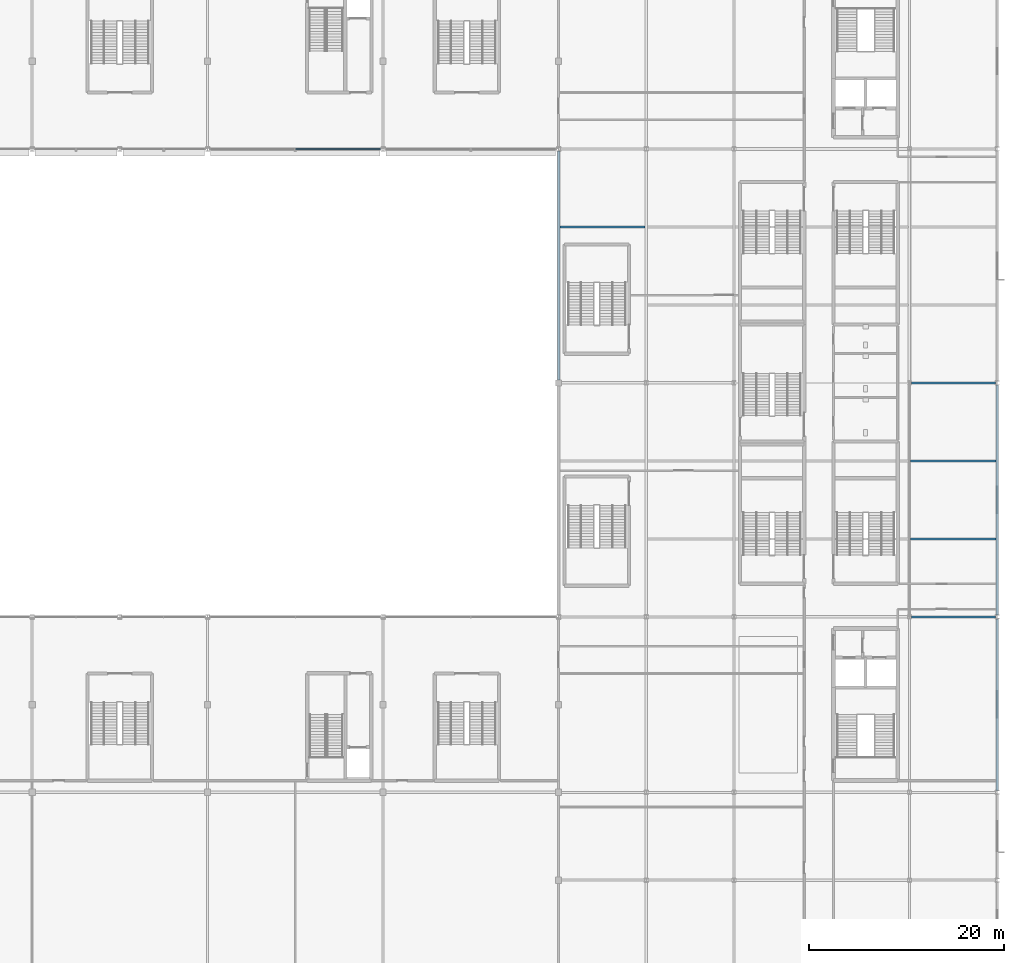
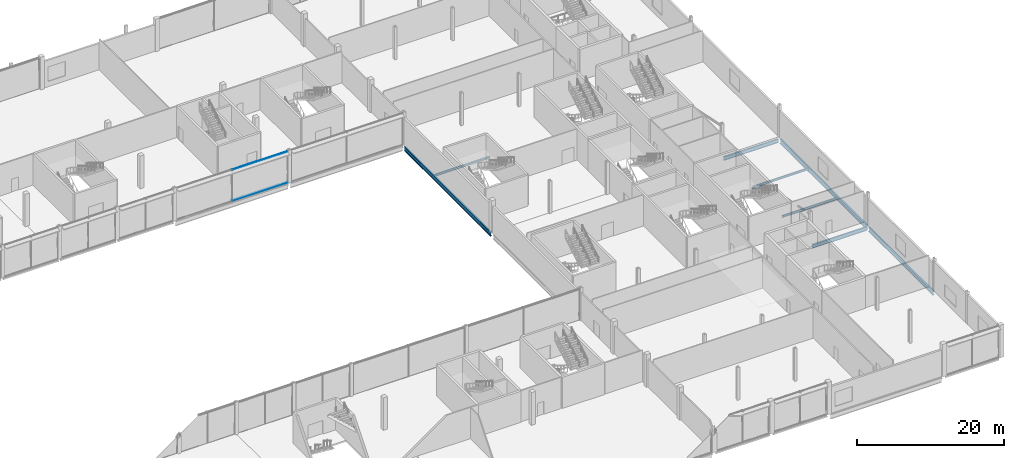
# One storey, part 48 of 111: 8 beams, 2 members, 1 element without a shape of its own.
"""IFC4 building model written with IfcOpenShell, lengths in metres."""

from ifc_helpers import new_model, si_unit, direction, frame, origin, origin_2d, place, context, subcontext, project, spatial, rectangle, i_section, extrude, material, layer, layer_set, material_profile, profile_set, type_object, element, aggregate, save


model = new_model("IFC4")

# Units and contexts
model_context = context("Model", 3, precision=1e-05, world=origin(), true_north=direction((0.0, 1.0)))
body_context = subcontext(model_context, "Body", "Model", "MODEL_VIEW")
ifc_project = project(units=[si_unit("LENGTHUNIT", "METRE"), si_unit("AREAUNIT", "SQUARE_METRE"), si_unit("VOLUMEUNIT", "CUBIC_METRE"), si_unit("PLANEANGLEUNIT", "RADIAN"), si_unit("MASSUNIT", "GRAM", prefix="KILO")], contexts=[model_context])

# Site, building, storey
site_placement = place(None, origin())
site = spatial("IfcSite", under=ifc_project, at=site_placement, CompositionType="ELEMENT")
building_placement = place(site_placement, origin())
building = spatial("IfcBuilding", under=site, at=building_placement, Name="Kisiwana Market Hall", CompositionType="ELEMENT")
storey_placement = place(building_placement, frame((0.0, 0.0, 11.39990234375)))
storey = spatial("IfcBuildingStorey", under=building, at=storey_placement, Name="L02", CompositionType="ELEMENT", Elevation=11.39990234375)

# Beams
ifc_material_1 = material(Name="Steel S355", Category="steel")
ifc_material_profile_1 = material_profile(ifc_material_1, i_section(OverallWidth=0.22900390625, OverallDepth=0.6123046875, WebThickness=0.011962890625, FlangeThickness=0.01953125, at=origin_2d()), Name="UB 610x229x125")
ifc_profile_set_1 = profile_set([ifc_material_profile_1], Name="Steel S355")
beam_type_1 = type_object("IfcBeamType", Name="BM-GIRD-UB610H", PredefinedType="BEAM", material=ifc_profile_set_1)
for number, where, z_axis, x_axis, name in (
    (1, (189.201904296875, 36.0, -0.555908203125), (1.0, 0.0, 0.0), (0.0, 1.0, 0.0), "Floor beam B-0770"),
    (2, (189.201904296875, 60.0, -0.555908203125), (1.0, 0.0, 0.0), (0.0, 1.0, 0.0), "Primary girder B-0600"),
):
    element("IfcBeam", number, at=place(storey_placement, frame(where, z_axis=z_axis, x_axis=x_axis)), inside=storey, type_object=beam_type_1, Name=name, PredefinedType="BEAM", context=body_context, shape_type="SweptSolid", body=[
        extrude(i_section(OverallWidth=0.22900390625, OverallDepth=0.6123046875, WebThickness=0.011962890625, FlangeThickness=0.01953125, at=origin_2d()), origin(), (0.0, 0.0, 1.0), 8.59619140625),
    ])
ifc_material_2 = material(Name="Steel S355", Category="steel")
ifc_material_profile_2 = material_profile(ifc_material_2, i_section(OverallWidth=0.253662109375, OverallDepth=0.68359375, WebThickness=0.012451171875, FlangeThickness=0.01904296875, at=origin_2d()), Name="UB 686x254x140")
ifc_profile_set_2 = profile_set([ifc_material_profile_2], Name="Steel S355")
beam_type_2 = type_object("IfcBeamType", Name="BM-GIRD-UB686", PredefinedType="BEAM", material=ifc_profile_set_2)
beam_1_placement = place(storey_placement, frame((153.0, 60.321044921875, -0.591552734375), z_axis=(0.0, 1.0, 0.0), x_axis=(-1.0, 0.0, 0.0)))
element("IfcBeam", 3, at=beam_1_placement, inside=storey, type_object=beam_type_2, Name="Floor beam B-0838", PredefinedType="BEAM", context=body_context, shape_type="SweptSolid", body=[
    extrude(i_section(OverallWidth=0.253662109375, OverallDepth=0.68359375, WebThickness=0.012451171875, FlangeThickness=0.01904296875, at=origin_2d()), origin(), (0.0, 0.0, 1.0), 23.465576171875),
])
beam_2_placement = place(storey_placement, frame((198.0, 18.21337890625, -0.591552734375), z_axis=(0.0, 1.0, 0.0), x_axis=(-1.0, 0.0, 0.0)))
element("IfcBeam", 4, at=beam_2_placement, inside=storey, type_object=beam_type_2, Name="Floor beam B-0843", PredefinedType="BEAM", context=body_context, shape_type="SweptSolid", body=[
    extrude(i_section(OverallWidth=0.253662109375, OverallDepth=0.68359375, WebThickness=0.012451171875, FlangeThickness=0.01904296875, at=origin_2d()), origin(), (0.0, 0.0, 1.0), 17.5732421875),
])
beam_3_placement = place(storey_placement, frame((198.0, 36.21337890625, -0.591552734375), z_axis=(0.0, 1.0, 0.0), x_axis=(-1.0, 0.0, 0.0)))
element("IfcBeam", 5, at=beam_3_placement, inside=storey, type_object=beam_type_2, Name="Floor beam B-0844", PredefinedType="BEAM", context=body_context, shape_type="SweptSolid", body=[
    extrude(i_section(OverallWidth=0.253662109375, OverallDepth=0.68359375, WebThickness=0.012451171875, FlangeThickness=0.01904296875, at=origin_2d()), origin(), (0.0, 0.0, 1.0), 23.5732421875),
])
ifc_material_3 = material(Name="Steel S355", Category="steel")
ifc_material_profile_3 = material_profile(ifc_material_3, i_section(OverallWidth=0.17138671875, OverallDepth=0.35498046875, WebThickness=0.00732421875, FlangeThickness=0.011474609375, at=origin_2d()), Name="UB 356x171x51")
ifc_profile_set_3 = profile_set([ifc_material_profile_3], Name="Steel S355")
beam_type_3 = type_object("IfcBeamType", Name="BM-JOIST-UB356", PredefinedType="JOIST", material=ifc_profile_set_3)
for number, where, z_axis, x_axis, name in (
    (6, (189.125732421875, 44.0, -0.427490234375), (1.0, 0.0, 0.0), (0.0, 1.0, 0.0), "Secondary floor joist B-0696"),
    (7, (189.125732421875, 52.0, -0.427490234375), (1.0, 0.0, 0.0), (0.0, 1.0, 0.0), "Secondary floor joist B-0704"),
    (8, (153.125732421875, 76.0, -0.427490234375), (1.0, 0.0, 0.0), (0.0, 1.0, 0.0), "Secondary floor joist B-0715"),
):
    element("IfcBeam", number, at=place(storey_placement, frame(where, z_axis=z_axis, x_axis=x_axis)), inside=storey, type_object=beam_type_3, Name=name, PredefinedType="JOIST", context=body_context, shape_type="SweptSolid", body=[
        extrude(i_section(OverallWidth=0.17138671875, OverallDepth=0.35498046875, WebThickness=0.00732421875, FlangeThickness=0.011474609375, at=origin_2d()), origin(), (0.0, 0.0, 1.0), 8.74853515625),
    ])

# Curtain wall, members
ifc_material_4 = material(Name="Double-glazed solar-control low-E IGU", Category="glass")
ifc_layer = layer(ifc_material_4, 0.159912109375)
ifc_layer_set = layer_set([ifc_layer], Name="CW-GLD-W-6400")
curtain_wall_type = type_object("IfcCurtainWallType", Name="CW-GLD-W-6400", PredefinedType="USERDEFINED", material=ifc_layer_set)
curtain_wall_placement = place(storey_placement, origin())
curtain_wall = element("IfcCurtainWall", 9, at=curtain_wall_placement, inside=storey, type_object=curtain_wall_type, Name="Unitised curtain wall CW-077 (L02)", ObjectType="UNITISED CURTAIN WALL", PredefinedType="USERDEFINED")
ifc_material_5 = material(Name="Aluminium alloy 6063-T6", Category="aluminium")
ifc_material_profile_4 = material_profile(ifc_material_5, rectangle(XDim=0.1201171875, YDim=0.06005859375, at=origin_2d()), Name="ALU TRANSOM 60x120")
ifc_profile_set_4 = profile_set([ifc_material_profile_4], Name="Aluminium alloy 6063-T6")
member_type = type_object("IfcMemberType", Name="CW-TRAN-60x120", PredefinedType="USERDEFINED", material=ifc_profile_set_4)
member_1_placement = place(storey_placement, frame((126.030029296875, 84.0, 0.030029296875), z_axis=(1.0, 0.0, 0.0), x_axis=(0.0, 1.0, 0.0)))
member_1 = element("IfcMember", 10, at=member_1_placement, type_object=member_type, Name="CW-077 transom 2.1", ObjectType="TRANSOM", PredefinedType="USERDEFINED", context=body_context, shape_type="SweptSolid", body=[
    extrude(rectangle(XDim=0.1201171875, YDim=0.06005859375, at=origin_2d()), origin(), (0.0, 0.0, 1.0), 8.703857421875),
])
member_2_placement = place(storey_placement, frame((126.030029296875, 84.0, 5.1201171875), z_axis=(1.0, 0.0, 0.0), x_axis=(0.0, 1.0, 0.0)))
member_2 = element("IfcMember", 11, at=member_2_placement, type_object=member_type, Name="CW-077 transom 2.2", ObjectType="TRANSOM", PredefinedType="USERDEFINED", context=body_context, shape_type="SweptSolid", body=[
    extrude(rectangle(XDim=0.1201171875, YDim=0.06005859375, at=origin_2d()), origin(), (0.0, 0.0, 1.0), 8.703857421875),
])
aggregate(curtain_wall, [member_1, member_2])

save(model, "model.ifc")
